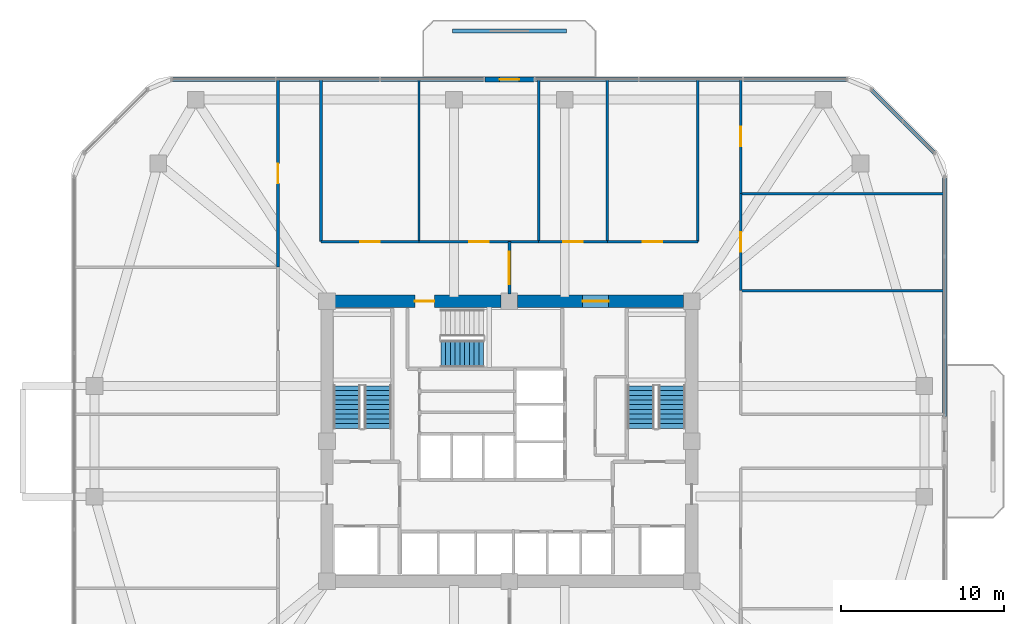
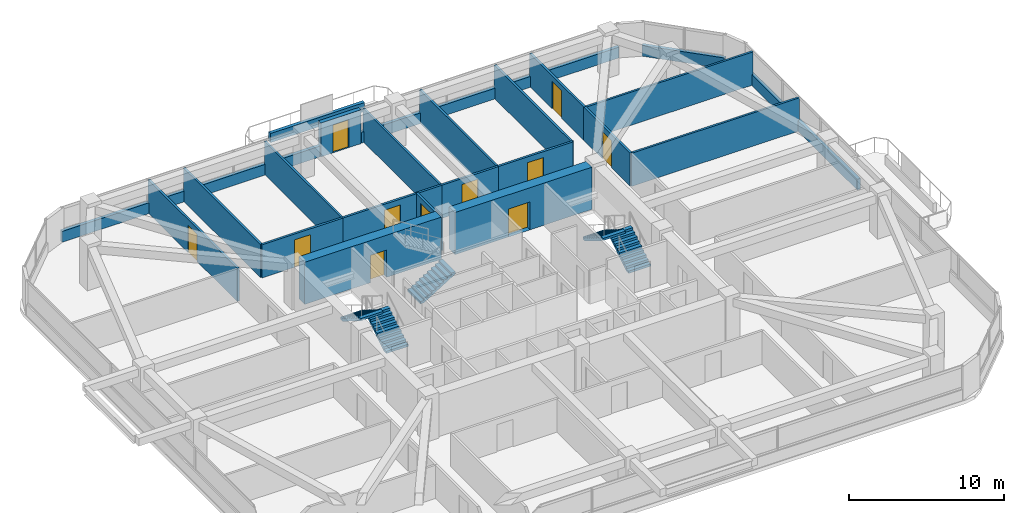
# One storey, part 11 of 14: 23 walls, 11 doors, 5 stair flights, 11 openings, 3 elements without a shape of their own.
"""IFC4 building model written with IfcOpenShell, lengths in metres."""

from ifc_helpers import new_model, si_unit, derived_unit, direction, frame, frame_2d, origin, place, context, subcontext, project, spatial, polyline, rectangle, outline, extrude, material, layer, layer_set, type_object, element, fill, aggregate, save


model = new_model("IFC4")

# Units and contexts
model_context = context("Model", 3, precision=1e-05, world=origin(), true_north=direction((0.0, 1.0)))
body_context = subcontext(model_context, "Body", "Model", "MODEL_VIEW")
ifc_project = project(units=[si_unit("LENGTHUNIT", "METRE"), si_unit("AREAUNIT", "SQUARE_METRE"), si_unit("VOLUMEUNIT", "CUBIC_METRE"), si_unit("PLANEANGLEUNIT", "RADIAN"), si_unit("MASSUNIT", "GRAM", prefix="KILO"), derived_unit("THERMALTRANSMITTANCEUNIT", [(si_unit("POWERUNIT", "WATT"), 1), (si_unit("LENGTHUNIT", "METRE"), -2), (si_unit("THERMODYNAMICTEMPERATUREUNIT", "KELVIN"), -1)])], contexts=[model_context])

# Site, building, storey
site_placement = place(None, origin())
site = spatial("IfcSite", under=ifc_project, at=site_placement, CompositionType="ELEMENT")
building_placement = place(site_placement, origin())
building = spatial("IfcBuilding", under=site, at=building_placement, Name="Koralith Skygarden Medical Center", CompositionType="ELEMENT")
storey_placement = place(building_placement, frame((0.0, 0.0, 81.179931640625)))
storey = spatial("IfcBuildingStorey", under=building, at=storey_placement, Name="L20", CompositionType="ELEMENT", Elevation=81.179931640625)

# Walls
ifc_material_1 = material(Name="Gypsum Board Partition")
ifc_layer_1 = layer(ifc_material_1, 0.14990234375)
ifc_layer_set_1 = layer_set([ifc_layer_1], Name="Gypsum Board Partition")
wall_type_1 = type_object("IfcWallType", Name="Clinical Acoustic Partition 150", PredefinedType="PARTITIONING", material=ifc_layer_set_1)
for number, where, z_axis, x_axis, name in (
    (1, (31.450927734375, 38.159912109375, 0.0), (0.0, 0.0, 1.0), (0.0, 1.0, 0.0), "L20 Clinical Acoustic Partition 150 W-PART-L20-N-01"),
    (2, (38.800048828125, 38.159912109375, 0.0), (0.0, 0.0, 1.0), (0.0, 1.0, 0.0), "L20 Clinical Acoustic Partition 150 W-PART-L20-N-02"),
    (3, (43.010986328125, 38.159912109375, 0.0), (0.0, 0.0, 1.0), (0.0, 1.0, 0.0), "L20 Clinical Acoustic Partition 150 W-PART-L20-N-03"),
):
    element("IfcWall", number, at=place(storey_placement, frame(where, z_axis=z_axis, x_axis=x_axis)), inside=storey, type_object=wall_type_1, Name=name, PredefinedType="PARTITIONING", context=body_context, shape_type="SweptSolid", body=[
        extrude(rectangle(XDim=9.940185546875, YDim=0.14990234375, at=frame_2d((4.97021484375, 0.0))), origin(), (0.0, 0.0, 1.0), 2.610107421875),
    ])
for number, where, z_axis, x_axis, name in (
    (4, (51.2099609375, 35.15087890625, 0.0), (0.0, 0.0, 1.0), (1.0, 0.0, 0.0), "L20 Clinical Acoustic Partition 150 W-PART-L20-EN-01"),
    (5, (51.2099609375, 41.115966796875, 0.0), (0.0, 0.0, 1.0), (1.0, 0.0, 0.0), "L20 Clinical Acoustic Partition 150 W-PART-L20-EN-02"),
):
    element("IfcWall", number, at=place(storey_placement, frame(where, z_axis=z_axis, x_axis=x_axis)), inside=storey, type_object=wall_type_1, Name=name, PredefinedType="PARTITIONING", context=body_context, shape_type="SweptSolid", body=[
        extrude(rectangle(XDim=12.489990234375, YDim=0.14990234375, at=frame_2d((6.2451171875, 0.0))), origin(), (0.0, 0.0, 1.0), 2.610107421875),
    ])
ifc_layer_2 = layer(ifc_material_1, 0.1650390625)
ifc_layer_set_2 = layer_set([ifc_layer_2], Name="Gypsum Board Partition")
wall_type_2 = type_object("IfcWallType", Name="Clinical Corridor Partition 165", PredefinedType="PARTITIONING", material=ifc_layer_set_2)
for number, where, z_axis, x_axis, name in (
    (6, (25.429931640625, 38.159912109375, 0.0), (0.0, 0.0, 1.0), (0.0, 1.0, 0.0), "L20 Clinical Corridor Partition 165 W-HCOR-L20-NW"),
    (7, (48.570068359375, 38.159912109375, 0.0), (0.0, 0.0, 1.0), (0.0, 1.0, 0.0), "L20 Clinical Corridor Partition 165 W-HCOR-L20-NE"),
):
    element("IfcWall", number, at=place(storey_placement, frame(where, z_axis=z_axis, x_axis=x_axis)), inside=storey, type_object=wall_type_2, Name=name, PredefinedType="PARTITIONING", context=body_context, shape_type="SweptSolid", body=[
        extrude(rectangle(XDim=9.940185546875, YDim=0.1650390625, at=frame_2d((4.97021484375, 0.0))), origin(), (0.0, 0.0, 1.0), 2.610107421875),
    ])

# Wall, opening, door
wall_1_placement = place(storey_placement, frame((25.429931640625, 38.159912109375, 0.0), z_axis=(0.0, 0.0, 1.0), x_axis=(1.0, 0.0, 0.0)))
wall_1 = element("IfcWall", 8, at=wall_1_placement, inside=storey, type_object=wall_type_2, Name="L20 Clinical Corridor Partition 165 W-CORR-L20-N-01", PredefinedType="PARTITIONING", context=body_context, shape_type="SweptSolid", body=[
    extrude(rectangle(XDim=6.02099609375, YDim=0.1650390625, at=frame_2d((3.010498046875, 0.0))), origin(), (0.0, 0.0, 1.0), 2.610107421875),
])
opening_1_placement = place(wall_1_placement, frame((2.410888671875, 0.0, 0.0)))
opening_1 = element("IfcOpeningElement", 9, at=opening_1_placement, cuts=wall_1, Name="Opening D-CLN", PredefinedType="OPENING", context=body_context, shape_type="SweptSolid", body=[
    extrude(rectangle(XDim=1.199951171875, YDim=2.14990234375, at=frame_2d((0.60009765625, 1.074951171875))), frame((0.0, 0.092529296875, 0.0), z_axis=(0.0, -1.0, 0.0), x_axis=(1.0, 0.0, 0.0)), (0.0, 0.0, 1.0), 0.18505859375),
])
ifc_material_2 = material(Name="Aluminium 6063-T6", Category="aluminium")
door_type_1 = type_object("IfcDoorType", Name="Clinical Corridor Door D-CLN 1200", OperationType="NOTDEFINED", PredefinedType="DOOR", material=ifc_material_2)
door_1_placement = place(opening_1_placement, origin())
door_1 = element("IfcDoor", 10, at=door_1_placement, inside=storey, type_object=door_type_1, Name="L20 Physician Consultation Office 01 Door", OperationType="SINGLE_SWING_RIGHT", OverallHeight=2.14990234375, OverallWidth=1.199951171875, PredefinedType="DOOR", context=body_context, shape_type="SweptSolid", body=[
    extrude(rectangle(XDim=1.199951171875, YDim=2.14990234375, at=frame_2d((0.60009765625, 1.074951171875))), frame((0.0, 0.02490234375, 0.0), z_axis=(0.0, -1.0, 0.0), x_axis=(1.0, 0.0, 0.0)), (0.0, 0.0, 1.0), 0.050048828125),
])
fill(opening_1, door_1)

wall_2_placement = place(storey_placement, frame((31.450927734375, 38.159912109375, 0.0), z_axis=(0.0, 0.0, 1.0), x_axis=(1.0, 0.0, 0.0)))
wall_2 = element("IfcWall", 11, at=wall_2_placement, inside=storey, type_object=wall_type_2, Name="L20 Clinical Corridor Partition 165 W-CORR-L20-N-02", PredefinedType="PARTITIONING", context=body_context, shape_type="SweptSolid", body=[
    extrude(rectangle(XDim=7.34912109375, YDim=0.1650390625, at=frame_2d((3.674560546875, 0.0))), origin(), (0.0, 0.0, 1.0), 2.610107421875),
])
opening_2_placement = place(wall_2_placement, frame((3.073974609375, 0.0, 0.0)))
opening_2 = element("IfcOpeningElement", 12, at=opening_2_placement, cuts=wall_2, Name="Opening D-CLN", PredefinedType="OPENING", context=body_context, shape_type="SweptSolid", body=[
    extrude(rectangle(XDim=1.199951171875, YDim=2.14990234375, at=frame_2d((0.60009765625, 1.074951171875))), frame((0.0, 0.092529296875, 0.0), z_axis=(0.0, -1.0, 0.0), x_axis=(1.0, 0.0, 0.0)), (0.0, 0.0, 1.0), 0.18505859375),
])
door_2_placement = place(opening_2_placement, origin())
door_2 = element("IfcDoor", 13, at=door_2_placement, inside=storey, type_object=door_type_1, Name="L20 Patient and Family Sky-Garden Day Lounge 02 Door", OperationType="SINGLE_SWING_LEFT", OverallHeight=2.14990234375, OverallWidth=1.199951171875, PredefinedType="DOOR", context=body_context, shape_type="SweptSolid", body=[
    extrude(rectangle(XDim=1.199951171875, YDim=2.14990234375, at=frame_2d((0.60009765625, 1.074951171875))), frame((0.0, 0.02490234375, 0.0), z_axis=(0.0, -1.0, 0.0), x_axis=(1.0, 0.0, 0.0)), (0.0, 0.0, 1.0), 0.050048828125),
])
fill(opening_2, door_2)

wall_3_placement = place(storey_placement, frame((38.800048828125, 38.159912109375, 0.0), z_axis=(0.0, 0.0, 1.0), x_axis=(1.0, 0.0, 0.0)))
wall_3 = element("IfcWall", 14, at=wall_3_placement, inside=storey, type_object=wall_type_2, Name="L20 Clinical Corridor Partition 165 W-CORR-L20-N-03", PredefinedType="PARTITIONING", context=body_context, shape_type="SweptSolid", body=[
    extrude(rectangle(XDim=4.2109375, YDim=0.1650390625, at=frame_2d((2.10546875, 0.0))), origin(), (0.0, 0.0, 1.0), 2.610107421875),
])
opening_3_placement = place(wall_3_placement, frame((1.506103515625, 0.0, 0.0)))
opening_3 = element("IfcOpeningElement", 15, at=opening_3_placement, cuts=wall_3, Name="Opening D-CLN", PredefinedType="OPENING", context=body_context, shape_type="SweptSolid", body=[
    extrude(rectangle(XDim=1.199951171875, YDim=2.14990234375, at=frame_2d((0.60009765625, 1.074951171875))), frame((0.0, 0.092529296875, 0.0), z_axis=(0.0, -1.0, 0.0), x_axis=(1.0, 0.0, 0.0)), (0.0, 0.0, 1.0), 0.18505859375),
])
door_3_placement = place(opening_3_placement, origin())
door_3 = element("IfcDoor", 16, at=door_3_placement, inside=storey, type_object=door_type_1, Name="L20 Clinical Case Conference Room 03 Door", OperationType="SINGLE_SWING_RIGHT", OverallHeight=2.14990234375, OverallWidth=1.199951171875, PredefinedType="DOOR", context=body_context, shape_type="SweptSolid", body=[
    extrude(rectangle(XDim=1.199951171875, YDim=2.14990234375, at=frame_2d((0.60009765625, 1.074951171875))), frame((0.0, 0.02490234375, 0.0), z_axis=(0.0, -1.0, 0.0), x_axis=(1.0, 0.0, 0.0)), (0.0, 0.0, 1.0), 0.050048828125),
])
fill(opening_3, door_3)

wall_4_placement = place(storey_placement, frame((43.010986328125, 38.159912109375, 0.0), z_axis=(0.0, 0.0, 1.0), x_axis=(1.0, 0.0, 0.0)))
wall_4 = element("IfcWall", 17, at=wall_4_placement, inside=storey, type_object=wall_type_2, Name="L20 Clinical Corridor Partition 165 W-CORR-L20-N-04", PredefinedType="PARTITIONING", context=body_context, shape_type="SweptSolid", body=[
    extrude(rectangle(XDim=5.55908203125, YDim=0.1650390625, at=frame_2d((2.779541015625, 0.0))), origin(), (0.0, 0.0, 1.0), 2.610107421875),
])
opening_4_placement = place(wall_4_placement, frame((2.178955078125, 0.0, 0.0)))
opening_4 = element("IfcOpeningElement", 18, at=opening_4_placement, cuts=wall_4, Name="Opening D-CLN", PredefinedType="OPENING", context=body_context, shape_type="SweptSolid", body=[
    extrude(rectangle(XDim=1.199951171875, YDim=2.14990234375, at=frame_2d((0.60009765625, 1.074951171875))), frame((0.0, 0.092529296875, 0.0), z_axis=(0.0, -1.0, 0.0), x_axis=(1.0, 0.0, 0.0)), (0.0, 0.0, 1.0), 0.18505859375),
])
door_4_placement = place(opening_4_placement, origin())
door_4 = element("IfcDoor", 19, at=door_4_placement, inside=storey, type_object=door_type_1, Name="L20 Patient Nutrition Pantry 04 Door", OperationType="SINGLE_SWING_LEFT", OverallHeight=2.14990234375, OverallWidth=1.199951171875, PredefinedType="DOOR", context=body_context, shape_type="SweptSolid", body=[
    extrude(rectangle(XDim=1.199951171875, YDim=2.14990234375, at=frame_2d((0.60009765625, 1.074951171875))), frame((0.0, 0.02490234375, 0.0), z_axis=(0.0, -1.0, 0.0), x_axis=(1.0, 0.0, 0.0)), (0.0, 0.0, 1.0), 0.050048828125),
])
fill(opening_4, door_4)

wall_5_placement = place(storey_placement, frame((22.7900390625, 36.597900390625, 0.0), z_axis=(0.0, 0.0, 1.0), x_axis=(0.0, 1.0, 0.0)))
wall_5 = element("IfcWall", 20, at=wall_5_placement, inside=storey, type_object=wall_type_2, Name="L20 Clinical Corridor Partition 165 W-CORR-L20-WN-02", PredefinedType="PARTITIONING", context=body_context, shape_type="SweptSolid", body=[
    extrude(rectangle(XDim=11.502197265625, YDim=0.1650390625, at=frame_2d((5.7509765625, 0.0))), origin(), (0.0, 0.0, 1.0), 2.610107421875),
])
opening_5_placement = place(wall_5_placement, frame((5.15087890625, 0.0, 0.0)))
opening_5 = element("IfcOpeningElement", 21, at=opening_5_placement, cuts=wall_5, Name="Opening D-CLN", PredefinedType="OPENING", context=body_context, shape_type="SweptSolid", body=[
    extrude(rectangle(XDim=1.199951171875, YDim=2.14990234375, at=frame_2d((0.60009765625, 1.074951171875))), frame((0.0, 0.092529296875, 0.0), z_axis=(0.0, -1.0, 0.0), x_axis=(1.0, 0.0, 0.0)), (0.0, 0.0, 1.0), 0.18505859375),
])
door_5_placement = place(opening_5_placement, frame((1.199951171875, 0.0, 0.0), z_axis=(0.0, 0.0, 1.0), x_axis=(-1.0, 0.0, 0.0)))
door_5 = element("IfcDoor", 22, at=door_5_placement, inside=storey, type_object=door_type_1, Name="L20 Patient Nutrition Pantry 12 Door", OperationType="SINGLE_SWING_LEFT", OverallHeight=2.14990234375, OverallWidth=1.199951171875, PredefinedType="DOOR", context=body_context, shape_type="SweptSolid", body=[
    extrude(rectangle(XDim=1.199951171875, YDim=2.14990234375, at=frame_2d((0.60009765625, 1.074951171875))), frame((0.0, 0.02490234375, 0.0), z_axis=(0.0, -1.0, 0.0), x_axis=(1.0, 0.0, 0.0)), (0.0, 0.0, 1.0), 0.050048828125),
])
fill(opening_5, door_5)

wall_6_placement = place(storey_placement, frame((51.2099609375, 35.15087890625, 0.0), z_axis=(0.0, 0.0, 1.0), x_axis=(0.0, 1.0, 0.0)))
wall_6 = element("IfcWall", 23, at=wall_6_placement, inside=storey, type_object=wall_type_2, Name="L20 Clinical Corridor Partition 165 W-CORR-L20-EN-02", PredefinedType="PARTITIONING", context=body_context, shape_type="SweptSolid", body=[
    extrude(rectangle(XDim=5.965087890625, YDim=0.1650390625, at=frame_2d((2.982421875, 0.0))), origin(), (0.0, 0.0, 1.0), 2.610107421875),
])
opening_6_placement = place(wall_6_placement, frame((2.382080078125, 0.0, 0.0)))
opening_6 = element("IfcOpeningElement", 24, at=opening_6_placement, cuts=wall_6, Name="Opening D-CLN", PredefinedType="OPENING", context=body_context, shape_type="SweptSolid", body=[
    extrude(rectangle(XDim=1.199951171875, YDim=2.14990234375, at=frame_2d((0.60009765625, 1.074951171875))), frame((0.0, 0.092529296875, 0.0), z_axis=(0.0, -1.0, 0.0), x_axis=(1.0, 0.0, 0.0)), (0.0, 0.0, 1.0), 0.18505859375),
])
door_6_placement = place(opening_6_placement, origin())
door_6 = element("IfcDoor", 25, at=door_6_placement, inside=storey, type_object=door_type_1, Name="L20 Patient Nutrition Pantry 16 Door", OperationType="SINGLE_SWING_LEFT", OverallHeight=2.14990234375, OverallWidth=1.199951171875, PredefinedType="DOOR", context=body_context, shape_type="SweptSolid", body=[
    extrude(rectangle(XDim=1.199951171875, YDim=2.14990234375, at=frame_2d((0.60009765625, 1.074951171875))), frame((0.0, 0.02490234375, 0.0), z_axis=(0.0, -1.0, 0.0), x_axis=(1.0, 0.0, 0.0)), (0.0, 0.0, 1.0), 0.050048828125),
])
fill(opening_6, door_6)

wall_7_placement = place(storey_placement, frame((51.2099609375, 41.115966796875, 0.0), z_axis=(0.0, 0.0, 1.0), x_axis=(0.0, 1.0, 0.0)))
wall_7 = element("IfcWall", 26, at=wall_7_placement, inside=storey, type_object=wall_type_2, Name="L20 Clinical Corridor Partition 165 W-CORR-L20-EN-03", PredefinedType="PARTITIONING", context=body_context, shape_type="SweptSolid", body=[
    extrude(rectangle(XDim=6.984130859375, YDim=0.1650390625, at=frame_2d((3.4921875, 0.0))), origin(), (0.0, 0.0, 1.0), 2.610107421875),
])
opening_7_placement = place(wall_7_placement, frame((2.89208984375, 0.0, 0.0)))
opening_7 = element("IfcOpeningElement", 27, at=opening_7_placement, cuts=wall_7, Name="Opening D-CLN", PredefinedType="OPENING", context=body_context, shape_type="SweptSolid", body=[
    extrude(rectangle(XDim=1.199951171875, YDim=2.14990234375, at=frame_2d((0.60009765625, 1.074951171875))), frame((0.0, 0.092529296875, 0.0), z_axis=(0.0, -1.0, 0.0), x_axis=(1.0, 0.0, 0.0)), (0.0, 0.0, 1.0), 0.18505859375),
])
door_7_placement = place(opening_7_placement, origin())
door_7 = element("IfcDoor", 28, at=door_7_placement, inside=storey, type_object=door_type_1, Name="L20 Clinical Consultation Office 17 Door", OperationType="SINGLE_SWING_RIGHT", OverallHeight=2.14990234375, OverallWidth=1.199951171875, PredefinedType="DOOR", context=body_context, shape_type="SweptSolid", body=[
    extrude(rectangle(XDim=1.199951171875, YDim=2.14990234375, at=frame_2d((0.60009765625, 1.074951171875))), frame((0.0, 0.02490234375, 0.0), z_axis=(0.0, -1.0, 0.0), x_axis=(1.0, 0.0, 0.0)), (0.0, 0.0, 1.0), 0.050048828125),
])
fill(opening_7, door_7)

ifc_layer_3 = layer(ifc_material_1, 0.179931640625)
ifc_layer_set_3 = layer_set([ifc_layer_3], Name="Gypsum Board Partition")
wall_type_3 = type_object("IfcWallType", Name="Group I-2 Smoke Barrier Wall 180", PredefinedType="PARTITIONING", material=ifc_layer_set_3)
wall_8_placement = place(storey_placement, frame((37.0, 34.949951171875, 0.0), z_axis=(0.0, 0.0, 1.0), x_axis=(0.0, 1.0, 0.0)))
wall_8 = element("IfcWall", 29, at=wall_8_placement, inside=storey, type_object=wall_type_3, Name="L20 Group I-2 Smoke Barrier Wall 180 W-SMK-L20-N", PredefinedType="PARTITIONING", context=body_context, shape_type="SweptSolid", body=[
    extrude(rectangle(XDim=3.2099609375, YDim=0.179931640625, at=frame_2d((1.60498046875, 0.0))), origin(), (0.0, 0.0, 1.0), 2.610107421875),
])
opening_8_placement = place(wall_8_placement, frame((0.60498046875, 0.0, 0.0)))
opening_8 = element("IfcOpeningElement", 30, at=opening_8_placement, cuts=wall_8, Name="Opening D-SMK", PredefinedType="OPENING", context=body_context, shape_type="SweptSolid", body=[
    extrude(rectangle(XDim=2.0, YDim=2.199951171875, at=frame_2d((1.0, 1.10009765625))), frame((0.0, 0.099853515625, 0.0), z_axis=(0.0, -1.0, 0.0), x_axis=(1.0, 0.0, 0.0)), (0.0, 0.0, 1.0), 0.199951171875),
])
ifc_material_3 = material(Name="Steel ASTM A500 Grade C", Category="steel")
door_type_2 = type_object("IfcDoorType", Name="Cross-Corridor Double Smoke Door FD60S 2000", OperationType="NOTDEFINED", PredefinedType="DOOR", material=ifc_material_3)
door_8_placement = place(opening_8_placement, origin())
door_8 = element("IfcDoor", 31, at=door_8_placement, inside=storey, type_object=door_type_2, Name="L20 N Smoke Compartment Cross-Corridor Door", OperationType="DOUBLE_DOOR_SINGLE_SWING", OverallHeight=2.199951171875, OverallWidth=2.0, PredefinedType="DOOR", context=body_context, shape_type="SweptSolid", body=[
    extrude(rectangle(XDim=2.0, YDim=2.199951171875, at=frame_2d((1.0, 1.10009765625))), frame((0.0, 0.02490234375, 0.0), z_axis=(0.0, -1.0, 0.0), x_axis=(1.0, 0.0, 0.0)), (0.0, 0.0, 1.0), 0.050048828125),
])
fill(opening_8, door_8)

# Walls
ifc_material_4 = material(Name="Warm Oolitic Limestone Cladding", Category="masonry")
ifc_layer_4 = layer(ifc_material_4, 0.239990234375)
ifc_layer_set_4 = layer_set([ifc_layer_4], Name="Warm Oolitic Limestone Cladding")
wall_type_4 = type_object("IfcWallType", Name="Limestone Spandrel Sill Backup Wall 240", PredefinedType="SOLIDWALL", material=ifc_layer_set_4)
wall_9_placement = place(storey_placement, frame((63.719970703125, 27.43896484375, 0.0), z_axis=(0.0, 0.0, 1.0), x_axis=(0.0, 1.0, 0.0)))
element("IfcWall", 32, at=wall_9_placement, inside=storey, type_object=wall_type_4, Name="L20 Sill Spandrel E-R", PredefinedType="SOLIDWALL", context=body_context, shape_type="SweptSolid", body=[
    extrude(rectangle(XDim=14.7060546875, YDim=0.239990234375, at=frame_2d((7.35302734375, 0.0))), origin(), (0.0, 0.0, 1.0), 0.85009765625),
])
wall_10_placement = place(storey_placement, frame((63.118896484375, 43.595947265625, 0.0), z_axis=(0.0, 0.0, 1.0), x_axis=(-0.707084777957, 0.707128783731, 0.0)))
element("IfcWall", 33, at=wall_10_placement, inside=storey, type_object=wall_type_4, Name="L20 Sill Spandrel NE", PredefinedType="SOLIDWALL", context=body_context, shape_type="SweptSolid", body=[
    extrude(rectangle(XDim=5.5478515625, YDim=0.239990234375, at=frame_2d((2.77392578125, 0.0))), origin(), (0.0, 0.0, 1.0), 0.85009765625),
])
wall_11_placement = place(storey_placement, frame((57.7451171875, 48.1201171875, 0.0), z_axis=(0.0, 0.0, 1.0), x_axis=(-1.0, 0.0, 0.0)))
element("IfcWall", 34, at=wall_11_placement, inside=storey, type_object=wall_type_4, Name="L20 Sill Spandrel N-L", PredefinedType="SOLIDWALL", context=body_context, shape_type="SweptSolid", body=[
    extrude(rectangle(XDim=19.2041015625, YDim=0.239990234375, at=frame_2d((9.60205078125, 0.0))), origin(), (0.0, 0.0, 1.0), 0.85009765625),
])
wall_12_placement = place(storey_placement, frame((35.4609375, 48.1201171875, 0.0), z_axis=(0.0, 0.0, 1.0), x_axis=(-1.0, 0.0, 0.0)))
element("IfcWall", 35, at=wall_12_placement, inside=storey, type_object=wall_type_4, Name="L20 Sill Spandrel N-R", PredefinedType="SOLIDWALL", context=body_context, shape_type="SweptSolid", body=[
    extrude(rectangle(XDim=19.2060546875, YDim=0.239990234375, at=frame_2d((9.60302734375, 0.0))), origin(), (0.0, 0.0, 1.0), 0.85009765625),
])

# Wall, opening, door
ifc_material_5 = material(Name="Concrete C70/85", Category="concrete")
ifc_layer_5 = layer(ifc_material_5, 0.75)
ifc_layer_set_5 = layer_set([ifc_layer_5], Name="Concrete C70/85")
wall_type_5 = type_object("IfcWallType", Name="Mid Core Shear Wall 750", PredefinedType="SHEAR", material=ifc_layer_set_5)
wall_13_placement = place(storey_placement, frame((47.695068359375, 34.5, 0.0), z_axis=(0.0, 0.0, 1.0), x_axis=(-1.0, 0.0, 0.0)))
wall_13 = element("IfcWall", 36, at=wall_13_placement, inside=storey, type_object=wall_type_5, Name="L20 Core Shear Wall Segment 5", PredefinedType="SHEAR", context=body_context, shape_type="SweptSolid", body=[
    extrude(rectangle(XDim=10.190185546875, YDim=0.75, at=frame_2d((5.09521484375, 0.0))), origin(), (0.0, 0.0, 1.0), 3.320068359375),
])
opening_9_placement = place(wall_13_placement, frame((4.594970703125, 0.0, 0.0)))
opening_9 = element("IfcOpeningElement", 37, at=opening_9_placement, cuts=wall_13, Name="Opening D-DBL", PredefinedType="OPENING", context=body_context, shape_type="SweptSolid", body=[
    extrude(rectangle(XDim=1.60009765625, YDim=2.199951171875, at=frame_2d((0.800048828125, 1.10009765625))), frame((0.0, 0.385009765625, 0.0), z_axis=(0.0, -1.0, 0.0), x_axis=(1.0, 0.0, 0.0)), (0.0, 0.0, 1.0), 0.77001953125),
])
door_type_3 = type_object("IfcDoorType", Name="Double Clinical Suite Door D-DBL 1600", OperationType="NOTDEFINED", PredefinedType="DOOR", material=ifc_material_2)
door_9_placement = place(opening_9_placement, frame((1.60009765625, 0.0, 0.0), z_axis=(0.0, 0.0, 1.0), x_axis=(-1.0, 0.0, 0.0)))
door_9 = element("IfcDoor", 38, at=door_9_placement, inside=storey, type_object=door_type_3, Name="L20 North-East Corridor to Elevator Lobby Door", OperationType="DOUBLE_DOOR_SINGLE_SWING", OverallHeight=2.199951171875, OverallWidth=1.60009765625, PredefinedType="DOOR", context=body_context, shape_type="SweptSolid", body=[
    extrude(rectangle(XDim=1.60009765625, YDim=2.199951171875, at=frame_2d((0.800048828125, 1.10009765625))), frame((0.0, 0.02490234375, 0.0), z_axis=(0.0, -1.0, 0.0), x_axis=(1.0, 0.0, 0.0)), (0.0, 0.0, 1.0), 0.050048828125),
])
fill(opening_9, door_9)

wall_14_placement = place(storey_placement, frame((36.4951171875, 34.5, 0.0), z_axis=(0.0, 0.0, 1.0), x_axis=(-1.0, 0.0, 0.0)))
wall_14 = element("IfcWall", 39, at=wall_14_placement, inside=storey, type_object=wall_type_5, Name="L20 Core Shear Wall Segment 6", PredefinedType="SHEAR", context=body_context, shape_type="SweptSolid", body=[
    extrude(rectangle(XDim=10.190185546875, YDim=0.75, at=frame_2d((5.09521484375, 0.0))), origin(), (0.0, 0.0, 1.0), 3.320068359375),
])
opening_10_placement = place(wall_14_placement, frame((4.094970703125, 0.0, 0.0)))
opening_10 = element("IfcOpeningElement", 40, at=opening_10_placement, cuts=wall_14, Name="Opening D-ST60", PredefinedType="OPENING", context=body_context, shape_type="SweptSolid", body=[
    extrude(rectangle(XDim=1.199951171875, YDim=2.14990234375, at=frame_2d((0.60009765625, 1.074951171875))), frame((0.0, 0.385009765625, 0.0), z_axis=(0.0, -1.0, 0.0), x_axis=(1.0, 0.0, 0.0)), (0.0, 0.0, 1.0), 0.77001953125),
])
door_type_4 = type_object("IfcDoorType", Name="Smokeproof Stair Fire Door FD60S 1200", OperationType="NOTDEFINED", PredefinedType="DOOR", material=ifc_material_3)
door_10_placement = place(opening_10_placement, frame((1.199951171875, 0.0, 0.0), z_axis=(0.0, 0.0, 1.0), x_axis=(-1.0, 0.0, 0.0)))
door_10 = element("IfcDoor", 41, at=door_10_placement, inside=storey, type_object=door_type_4, Name="L20 Exit Stair ST3 Fire Door", OperationType="SINGLE_SWING_LEFT", OverallHeight=2.14990234375, OverallWidth=1.199951171875, PredefinedType="DOOR", context=body_context, shape_type="SweptSolid", body=[
    extrude(rectangle(XDim=1.199951171875, YDim=2.14990234375, at=frame_2d((0.60009765625, 1.074951171875))), frame((0.0, 0.02490234375, 0.0), z_axis=(0.0, -1.0, 0.0), x_axis=(1.0, 0.0, 0.0)), (0.0, 0.0, 1.0), 0.050048828125),
])
fill(opening_10, door_10)

ifc_layer_6 = layer(ifc_material_4, 0.300048828125)
ifc_layer_set_6 = layer_set([ifc_layer_6], Name="Warm Oolitic Limestone Cladding")
wall_type_6 = type_object("IfcWallType", Name="Oolitic Limestone Insulated Facade Wall 300", PredefinedType="SOLIDWALL", material=ifc_layer_set_6)
wall_15_placement = place(storey_placement, frame((38.5009765625, 48.1201171875, 0.0), z_axis=(0.0, 0.0, 1.0), x_axis=(-1.0, 0.0, 0.0)))
wall_15 = element("IfcWall", 42, at=wall_15_placement, inside=storey, type_object=wall_type_6, Name="L20 Terrace Portal Wall N", PredefinedType="SOLIDWALL", context=body_context, shape_type="SweptSolid", body=[
    extrude(rectangle(XDim=3.0, YDim=0.300048828125, at=frame_2d((1.5, 0.0))), origin(), (0.0, 0.0, 1.0), 2.670166015625),
])
opening_11_placement = place(wall_15_placement, frame((0.89990234375, 0.0, 0.0)))
opening_11 = element("IfcOpeningElement", 43, at=opening_11_placement, cuts=wall_15, Name="Opening D-BAL", PredefinedType="OPENING", context=body_context, shape_type="SweptSolid", body=[
    extrude(rectangle(XDim=1.199951171875, YDim=2.199951171875, at=frame_2d((0.60009765625, 1.10009765625))), frame((0.0, 0.159912109375, 0.0), z_axis=(0.0, -1.0, 0.0), x_axis=(1.0, 0.0, 0.0)), (0.0, 0.0, 1.0), 0.320068359375),
])
door_type_5 = type_object("IfcDoorType", Name="Planted Balcony Glazed Terrace Door D-BAL 1200", OperationType="NOTDEFINED", PredefinedType="DOOR", material=ifc_material_2)
door_11_placement = place(opening_11_placement, origin())
door_11 = element("IfcDoor", 44, at=door_11_placement, inside=storey, type_object=door_type_5, Name="L20 N Outdoor Terrace Access Door", OperationType="SINGLE_SWING_LEFT", OverallHeight=2.199951171875, OverallWidth=1.199951171875, PredefinedType="DOOR", context=body_context, shape_type="SweptSolid", body=[
    extrude(rectangle(XDim=1.199951171875, YDim=2.199951171875, at=frame_2d((0.60009765625, 1.10009765625))), frame((0.0, 0.02490234375, 0.0), z_axis=(0.0, -1.0, 0.0), x_axis=(1.0, 0.0, 0.0)), (0.0, 0.0, 1.0), 0.050048828125),
])
fill(opening_11, door_11)

# Wall
ifc_material_6 = material(Name="Precast concrete C40/50", Category="concrete")
ifc_layer_7 = layer(ifc_material_6, 0.25)
ifc_layer_set_7 = layer_set([ifc_layer_7], Name="Precast concrete C40/50")
wall_type_7 = type_object("IfcWallType", Name="Structural Concrete Balcony Planter Kerb 250", PredefinedType="PARAPET", material=ifc_layer_set_7)
wall_16_placement = place(storey_placement, frame((33.5, 51.10009765625, 0.0), z_axis=(0.0, 0.0, 1.0), x_axis=(1.0, 0.0, 0.0)))
element("IfcWall", 45, at=wall_16_placement, inside=storey, type_object=wall_type_7, Name="L20 N Structural Tree PLANTER Box", PredefinedType="PARAPET", context=body_context, shape_type="SweptSolid", body=[
    extrude(rectangle(XDim=7.0, YDim=0.25, at=frame_2d((3.5, 0.0))), origin(), (0.0, 0.0, 1.0), 0.719970703125),
])

# Stair, stair flights
ifc_material_7 = material(Name="Concrete C45/55", Category="concrete")
stair_type = type_object("IfcStairType", Name="Core Exit Dogleg Concrete Stair", PredefinedType="HALF_TURN_STAIR", material=ifc_material_7)
stair_1_placement = place(storey_placement, origin())
stair_1 = element("IfcStair", 46, at=stair_1_placement, inside=storey, type_object=stair_type, Name="L20 Smokeproof Exit Stair ST1", PredefinedType="HALF_TURN_STAIR")
stair_flight_type = type_object("IfcStairFlightType", Name="Core Exit Concrete Stair Flight 1650", PredefinedType="STRAIGHT", material=ifc_material_7)
stair_flight_1_placement = place(storey_placement, frame((28.925048828125, 26.699951171875, 0.0), z_axis=(0.0, 0.0, 1.0), x_axis=(0.0, 1.0, 0.0)))
stair_flight_1 = element("IfcStairFlight", 47, at=stair_flight_1_placement, type_object=stair_flight_type, Name="ST1 flight 1", NumberOfRisers=10, NumberOfTreads=9, PredefinedType="STRAIGHT", RiserHeight=0.18, TreadLength=0.29, context=body_context, shape_type="SweptSolid", body=[
    extrude(outline(polyline([(0.0, 0.0), (0.0, 0.179931640625), (0.2900390625, 0.179931640625), (0.2900390625, 0.360107421875), (0.580078125, 0.360107421875), (0.580078125, 0.5400390625), (0.8701171875, 0.5400390625), (0.8701171875, 0.719970703125), (1.159912109375, 0.719970703125), (1.159912109375, 0.89990234375), (1.449951171875, 0.89990234375), (1.449951171875, 1.080078125), (1.739990234375, 1.080078125), (1.739990234375, 1.260009765625), (2.030029296875, 1.260009765625), (2.030029296875, 1.43994140625), (2.320068359375, 1.43994140625), (2.320068359375, 1.6201171875), (2.610107421875, 1.6201171875), (2.610107421875, 1.800048828125), (2.610107421875, 1.443603515625), (0.2841796875, 0.0), (0.0, 0.0)])), frame((0.0, 0.824951171875, 0.0), z_axis=(0.0, -1.0, 0.0), x_axis=(1.0, 0.0, 0.0)), (0.0, 0.0, 1.0), 1.64990234375),
])
stair_flight_2_placement = place(storey_placement, frame((27.02490234375, 29.31005859375, 1.800048828125), z_axis=(0.0, 0.0, 1.0), x_axis=(0.0, -1.0, 0.0)))
stair_flight_2 = element("IfcStairFlight", 48, at=stair_flight_2_placement, type_object=stair_flight_type, Name="ST1 flight 2", NumberOfRisers=10, NumberOfTreads=9, PredefinedType="STRAIGHT", RiserHeight=0.18, TreadLength=0.29, context=body_context, shape_type="SweptSolid", body=[
    extrude(outline(polyline([(0.0, 0.0), (0.0, 0.179931640625), (0.2900390625, 0.179931640625), (0.2900390625, 0.360107421875), (0.580078125, 0.360107421875), (0.580078125, 0.5400390625), (0.8701171875, 0.5400390625), (0.8701171875, 0.719970703125), (1.159912109375, 0.719970703125), (1.159912109375, 0.89990234375), (1.449951171875, 0.89990234375), (1.449951171875, 1.080078125), (1.739990234375, 1.080078125), (1.739990234375, 1.260009765625), (2.030029296875, 1.260009765625), (2.030029296875, 1.43994140625), (2.320068359375, 1.43994140625), (2.320068359375, 1.6201171875), (2.610107421875, 1.6201171875), (2.610107421875, 1.800048828125), (2.610107421875, 1.443603515625), (0.2841796875, 0.0), (0.0, 0.0)])), frame((0.0, 0.824951171875, 0.0), z_axis=(0.0, -1.0, 0.0), x_axis=(1.0, 0.0, 0.0)), (0.0, 0.0, 1.0), 1.64990234375),
])
aggregate(stair_1, [stair_flight_1, stair_flight_2])

stair_2_placement = place(storey_placement, origin())
stair_2 = element("IfcStair", 49, at=stair_2_placement, inside=storey, type_object=stair_type, Name="L20 Smokeproof Exit Stair ST2", PredefinedType="HALF_TURN_STAIR")
stair_flight_3_placement = place(storey_placement, frame((46.97509765625, 26.699951171875, 0.0), z_axis=(0.0, 0.0, 1.0), x_axis=(0.0, 1.0, 0.0)))
stair_flight_3 = element("IfcStairFlight", 50, at=stair_flight_3_placement, type_object=stair_flight_type, Name="ST2 flight 1", NumberOfRisers=10, NumberOfTreads=9, PredefinedType="STRAIGHT", RiserHeight=0.18, TreadLength=0.29, context=body_context, shape_type="SweptSolid", body=[
    extrude(outline(polyline([(0.0, 0.0), (0.0, 0.179931640625), (0.2900390625, 0.179931640625), (0.2900390625, 0.360107421875), (0.580078125, 0.360107421875), (0.580078125, 0.5400390625), (0.8701171875, 0.5400390625), (0.8701171875, 0.719970703125), (1.159912109375, 0.719970703125), (1.159912109375, 0.89990234375), (1.449951171875, 0.89990234375), (1.449951171875, 1.080078125), (1.739990234375, 1.080078125), (1.739990234375, 1.260009765625), (2.030029296875, 1.260009765625), (2.030029296875, 1.43994140625), (2.320068359375, 1.43994140625), (2.320068359375, 1.6201171875), (2.610107421875, 1.6201171875), (2.610107421875, 1.800048828125), (2.610107421875, 1.443603515625), (0.2841796875, 0.0), (0.0, 0.0)])), frame((0.0, 0.824951171875, 0.0), z_axis=(0.0, -1.0, 0.0), x_axis=(1.0, 0.0, 0.0)), (0.0, 0.0, 1.0), 1.64990234375),
])
stair_flight_4_placement = place(storey_placement, frame((45.074951171875, 29.31005859375, 1.800048828125), z_axis=(0.0, 0.0, 1.0), x_axis=(0.0, -1.0, 0.0)))
stair_flight_4 = element("IfcStairFlight", 51, at=stair_flight_4_placement, type_object=stair_flight_type, Name="ST2 flight 2", NumberOfRisers=10, NumberOfTreads=9, PredefinedType="STRAIGHT", RiserHeight=0.18, TreadLength=0.29, context=body_context, shape_type="SweptSolid", body=[
    extrude(outline(polyline([(0.0, 0.0), (0.0, 0.179931640625), (0.2900390625, 0.179931640625), (0.2900390625, 0.360107421875), (0.580078125, 0.360107421875), (0.580078125, 0.5400390625), (0.8701171875, 0.5400390625), (0.8701171875, 0.719970703125), (1.159912109375, 0.719970703125), (1.159912109375, 0.89990234375), (1.449951171875, 0.89990234375), (1.449951171875, 1.080078125), (1.739990234375, 1.080078125), (1.739990234375, 1.260009765625), (2.030029296875, 1.260009765625), (2.030029296875, 1.43994140625), (2.320068359375, 1.43994140625), (2.320068359375, 1.6201171875), (2.610107421875, 1.6201171875), (2.610107421875, 1.800048828125), (2.610107421875, 1.443603515625), (0.2841796875, 0.0), (0.0, 0.0)])), frame((0.0, 0.824951171875, 0.0), z_axis=(0.0, -1.0, 0.0), x_axis=(1.0, 0.0, 0.0)), (0.0, 0.0, 1.0), 1.64990234375),
])
aggregate(stair_2, [stair_flight_3, stair_flight_4])

# Stair, stair flight
stair_3_placement = place(storey_placement, origin())
stair_3 = element("IfcStair", 52, at=stair_3_placement, inside=storey, type_object=stair_type, Name="L20 Smokeproof Exit Stair ST3", PredefinedType="HALF_TURN_STAIR")
stair_flight_5_placement = place(storey_placement, frame((32.800048828125, 31.27490234375, 0.0), z_axis=(0.0, 0.0, 1.0), x_axis=(1.0, 0.0, 0.0)))
stair_flight_5 = element("IfcStairFlight", 53, at=stair_flight_5_placement, type_object=stair_flight_type, Name="ST3 flight 1", NumberOfRisers=10, NumberOfTreads=9, PredefinedType="STRAIGHT", RiserHeight=0.18, TreadLength=0.29, context=body_context, shape_type="SweptSolid", body=[
    extrude(outline(polyline([(0.0, 0.0), (0.0, 0.179931640625), (0.2900390625, 0.179931640625), (0.2900390625, 0.360107421875), (0.580078125, 0.360107421875), (0.580078125, 0.5400390625), (0.8701171875, 0.5400390625), (0.8701171875, 0.719970703125), (1.159912109375, 0.719970703125), (1.159912109375, 0.89990234375), (1.449951171875, 0.89990234375), (1.449951171875, 1.080078125), (1.739990234375, 1.080078125), (1.739990234375, 1.260009765625), (2.030029296875, 1.260009765625), (2.030029296875, 1.43994140625), (2.320068359375, 1.43994140625), (2.320068359375, 1.6201171875), (2.610107421875, 1.6201171875), (2.610107421875, 1.800048828125), (2.610107421875, 1.443603515625), (0.2841796875, 0.0), (0.0, 0.0)])), frame((0.0, 0.824951171875, 0.0), z_axis=(0.0, -1.0, 0.0), x_axis=(1.0, 0.0, 0.0)), (0.0, 0.0, 1.0), 1.64990234375),
])
aggregate(stair_3, [stair_flight_5])

save(model, "model.ifc")
